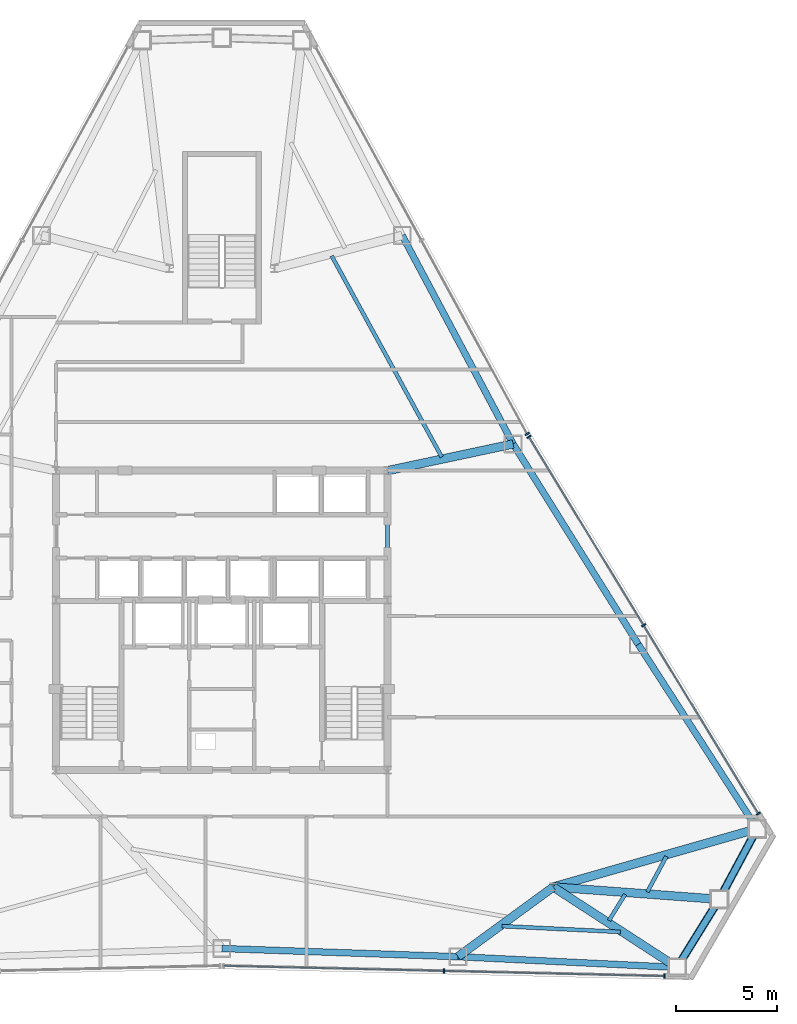
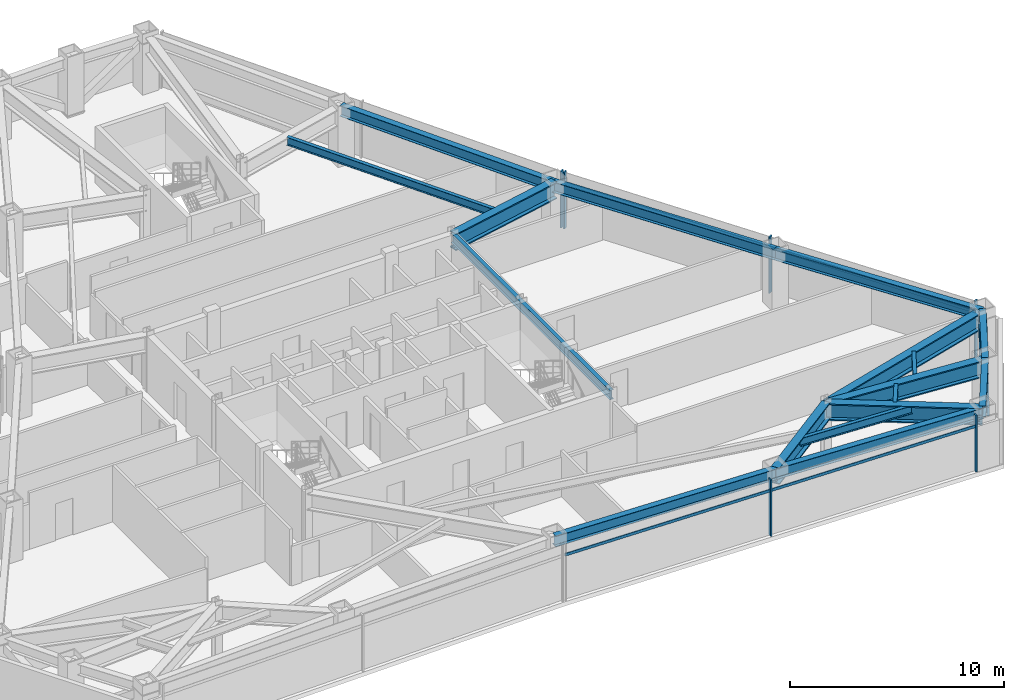
# One storey, part 5 of 11: 17 beams, 10 members, 3 elements without a shape of their own.
"""IFC4 building model written with IfcOpenShell, lengths in metres."""

from ifc_helpers import new_model, si_unit, direction, frame, origin, origin_2d, place, context, subcontext, project, spatial, rectangle, hollow_rectangle, i_section, extrude, source, transform, mapped, material, layer, layer_set, material_profile, profile_set, type_object, type_shapes, element, aggregate, save


model = new_model("IFC4")

# Units and contexts
model_context = context("Model", 3, precision=1e-05, world=origin(), true_north=direction((0.0, 1.0)))
body_context = subcontext(model_context, "Body", "Model", "MODEL_VIEW")
ifc_project = project(units=[si_unit("LENGTHUNIT", "METRE"), si_unit("AREAUNIT", "SQUARE_METRE"), si_unit("VOLUMEUNIT", "CUBIC_METRE"), si_unit("PLANEANGLEUNIT", "RADIAN"), si_unit("MASSUNIT", "GRAM", prefix="KILO")], contexts=[model_context])

# Site, building, storey
site_placement = place(None, origin())
site = spatial("IfcSite", under=ifc_project, at=site_placement, CompositionType="ELEMENT")
building_placement = place(site_placement, origin())
building = spatial("IfcBuilding", under=site, at=building_placement, Name="Varakhsha Concourse Tower", CompositionType="ELEMENT")
storey_placement = place(building_placement, frame((0.0, 0.0, 150.5)))
storey = spatial("IfcBuildingStorey", under=building, at=storey_placement, Name="L43", CompositionType="ELEMENT", Elevation=150.5)

# Beams
ifc_material_1 = material(Name="Structural Steel ASTM A992 Grade 50", Category="steel")
ifc_material_profile_1 = material_profile(ifc_material_1, i_section(OverallWidth=0.19091796875, OverallDepth=0.45703125, WebThickness=0.009033203125, FlangeThickness=0.013916015625, at=origin_2d()), Name="W18X50")
ifc_profile_set_1 = profile_set([ifc_material_profile_1], Name="Structural Steel ASTM A992 Grade 50")
beam_type_1 = type_object("IfcBeamType", Name="BM-JST-W18X50", PredefinedType="JOIST", material=ifc_profile_set_1)
beam_1_placement = place(storey_placement, frame((53.867919921875, 8.664306640625, 2.9814453125), z_axis=(0.99880497097, -0.04887361217, 0.0), x_axis=(0.04887361217, 0.99880497097, 0.0)))
element("IfcBeam", 1, at=beam_1_placement, inside=storey, type_object=beam_type_1, Name="BM-TJST-L43-12", PredefinedType="JOIST", context=body_context, shape_type="SweptSolid", body=[
    extrude(i_section(OverallWidth=0.19091796875, OverallDepth=0.45703125, WebThickness=0.009033203125, FlangeThickness=0.013916015625, at=origin_2d()), origin(), (0.0, 0.0, 1.0), 5.859619140625),
])
beam_2_placement = place(storey_placement, frame((59.153076171875, 8.943603515625, 2.9814453125), z_axis=(0.526608454352, 0.850107955382, 0.0), x_axis=(-0.850107955382, 0.526608454352, 0.0)))
element("IfcBeam", 2, at=beam_2_placement, inside=storey, type_object=beam_type_1, Name="BM-TJST-L43-13", PredefinedType="JOIST", context=body_context, shape_type="SweptSolid", body=[
    extrude(i_section(OverallWidth=0.19091796875, OverallDepth=0.45703125, WebThickness=0.009033203125, FlangeThickness=0.013916015625, at=origin_2d()), origin(), (0.0, 0.0, 1.0), 1.52294921875),
])
beam_3_placement = place(storey_placement, frame((61.05029296875, 10.355712890625, 2.9814453125), z_axis=(0.473021281031, 0.881051001754, 0.0), x_axis=(-0.881051001754, 0.473021281031, 0.0)))
element("IfcBeam", 3, at=beam_3_placement, inside=storey, type_object=beam_type_1, Name="BM-TJST-L43-14", PredefinedType="JOIST", context=body_context, shape_type="SweptSolid", body=[
    extrude(i_section(OverallWidth=0.19091796875, OverallDepth=0.45703125, WebThickness=0.009033203125, FlangeThickness=0.013916015625, at=origin_2d()), origin(), (0.0, 0.0, 1.0), 1.99853515625),
])
beam_4_placement = place(storey_placement, frame((50.880615234375, 31.877685546875, 2.9814453125), z_axis=(-0.480210522134, 0.877153267355, 0.0), x_axis=(-0.877153267355, -0.480210522134, 0.0)))
element("IfcBeam", 4, at=beam_4_placement, inside=storey, type_object=beam_type_1, Name="BM-TJST-L43-17", PredefinedType="JOIST", context=body_context, shape_type="SweptSolid", body=[
    extrude(i_section(OverallWidth=0.19091796875, OverallDepth=0.45703125, WebThickness=0.009033203125, FlangeThickness=0.013916015625, at=origin_2d()), origin(), (0.0, 0.0, 1.0), 11.341064453125),
])
ifc_material_profile_2 = material_profile(ifc_material_1, i_section(OverallWidth=0.423095703125, OverallDepth=0.947998046875, WebThickness=0.0380859375, FlangeThickness=0.06396484375, at=origin_2d()), Name="W36X302")
ifc_profile_set_2 = profile_set([ifc_material_profile_2], Name="Structural Steel ASTM A992 Grade 50")
beam_type_2 = type_object("IfcBeamType", Name="BM-OUTR-W36X302", PredefinedType="USERDEFINED", material=ifc_profile_set_2)
beam_5_placement = place(storey_placement, frame((56.39990234375, 10.60009765625, 2.736083984375), z_axis=(-0.807418681371, -0.589978875023, 0.0), x_axis=(0.589978875023, -0.807418681371, 0.0)))
element("IfcBeam", 5, at=beam_5_placement, inside=storey, type_object=beam_type_2, Name="L43 Radial Floor Girder 12", ObjectType="GIRDER", PredefinedType="USERDEFINED", context=body_context, shape_type="SweptSolid", body=[
    extrude(i_section(OverallWidth=0.423095703125, OverallDepth=0.947998046875, WebThickness=0.0380859375, FlangeThickness=0.06396484375, at=origin_2d()), origin(), (0.0, 0.0, 1.0), 5.843017578125),
])
beam_6_placement = place(storey_placement, frame((56.39990234375, 10.60009765625, 2.736083984375), z_axis=(0.838695554596, -0.544600557014, 0.0), x_axis=(0.544600557014, 0.838695554596, 0.0)))
element("IfcBeam", 6, at=beam_6_placement, inside=storey, type_object=beam_type_2, Name="L43 Radial Floor Girder 13", ObjectType="GIRDER", PredefinedType="USERDEFINED", context=body_context, shape_type="SweptSolid", body=[
    extrude(i_section(OverallWidth=0.423095703125, OverallDepth=0.947998046875, WebThickness=0.0380859375, FlangeThickness=0.06396484375, at=origin_2d()), origin(), (0.0, 0.0, 1.0), 7.3037109375),
])
beam_7_placement = place(storey_placement, frame((56.39990234375, 10.60009765625, 2.736083984375), z_axis=(0.99725755111, -0.074009301804, 0.0), x_axis=(0.074009301804, 0.99725755111, 0.0)))
element("IfcBeam", 7, at=beam_7_placement, inside=storey, type_object=beam_type_2, Name="L43 Radial Floor Girder 14", ObjectType="GIRDER", PredefinedType="USERDEFINED", context=body_context, shape_type="SweptSolid", body=[
    extrude(i_section(OverallWidth=0.423095703125, OverallDepth=0.947998046875, WebThickness=0.0380859375, FlangeThickness=0.06396484375, at=origin_2d()), origin(), (0.0, 0.0, 1.0), 8.233642578125),
])
beam_8_placement = place(storey_placement, frame((56.39990234375, 10.60009765625, 2.736083984375), z_axis=(0.961533609036, 0.274687310761, 0.0), x_axis=(-0.274687310761, 0.961533609036, 0.0)))
element("IfcBeam", 8, at=beam_8_placement, inside=storey, type_object=beam_type_2, Name="L43 Radial Floor Girder 15", ObjectType="GIRDER", PredefinedType="USERDEFINED", context=body_context, shape_type="SweptSolid", body=[
    extrude(i_section(OverallWidth=0.423095703125, OverallDepth=0.947998046875, WebThickness=0.0380859375, FlangeThickness=0.06396484375, at=origin_2d()), origin(), (0.0, 0.0, 1.0), 10.48876953125),
])
beam_9_placement = place(storey_placement, frame((48.199951171875, 31.199951171875, 2.736083984375), z_axis=(0.978129728728, 0.20799575423, 0.0), x_axis=(-0.20799575423, 0.978129728728, 0.0)))
element("IfcBeam", 9, at=beam_9_placement, inside=storey, type_object=beam_type_2, Name="L43 Radial Floor Girder 17", ObjectType="GIRDER", PredefinedType="USERDEFINED", context=body_context, shape_type="SweptSolid", body=[
    extrude(i_section(OverallWidth=0.423095703125, OverallDepth=0.947998046875, WebThickness=0.0380859375, FlangeThickness=0.06396484375, at=origin_2d()), origin(), (0.0, 0.0, 1.0), 6.351318359375),
])
ifc_material_profile_3 = material_profile(ifc_material_1, i_section(OverallWidth=0.2109375, OverallDepth=0.5390625, WebThickness=0.011962890625, FlangeThickness=0.01904296875, at=origin_2d()), Name="W21X73")
ifc_profile_set_3 = profile_set([ifc_material_profile_3], Name="Structural Steel ASTM A992 Grade 50")
beam_type_3 = type_object("IfcBeamType", Name="BM-RAD-W21X73", PredefinedType="BEAM", material=ifc_profile_set_3)
beam_10_placement = place(storey_placement, frame((48.199951171875, 16.39990234375, 2.9404296875), z_axis=(0.0, 1.0, 0.0), x_axis=(-1.0, 0.0, 0.0)))
element("IfcBeam", 10, at=beam_10_placement, inside=storey, type_object=beam_type_3, Name="BM-TCORE-L43-CE", PredefinedType="BEAM", context=body_context, shape_type="SweptSolid", body=[
    extrude(i_section(OverallWidth=0.2109375, OverallDepth=0.5390625, WebThickness=0.011962890625, FlangeThickness=0.01904296875, at=origin_2d()), origin(), (0.0, 0.0, 1.0), 14.800048828125),
])
ifc_material_profile_4 = material_profile(ifc_material_1, i_section(OverallWidth=0.323974609375, OverallDepth=0.611083984375, WebThickness=0.012939453125, FlangeThickness=0.01904296875, at=origin_2d()), Name="W24X104")
ifc_profile_set_4 = profile_set([ifc_material_profile_4], Name="Structural Steel ASTM A992 Grade 50")
beam_type_4 = type_object("IfcBeamType", Name="BM-SPAN-W24X104", PredefinedType="SPANDREL", material=ifc_profile_set_4)
beam_11_placement = place(storey_placement, frame((40.0, 7.55810546875, 2.904541015625), z_axis=(0.999398784039, -0.034670887806, 0.0), x_axis=(0.034670887806, 0.999398784039, 0.0)))
element("IfcBeam", 11, at=beam_11_placement, inside=storey, type_object=beam_type_4, Name="BM-SPAN-L43-11", PredefinedType="SPANDREL", context=body_context, shape_type="SweptSolid", body=[
    extrude(i_section(OverallWidth=0.323974609375, OverallDepth=0.611083984375, WebThickness=0.012939453125, FlangeThickness=0.01904296875, at=origin_2d()), origin(), (0.0, 0.0, 1.0), 11.689208984375),
])
beam_12_placement = place(storey_placement, frame((51.68212890625, 7.15283203125, 2.904541015625), z_axis=(0.998806364453, -0.048845125942, 0.0), x_axis=(0.048845125942, 0.998806364453, 0.0)))
element("IfcBeam", 12, at=beam_12_placement, inside=storey, type_object=beam_type_4, Name="BM-SPAN-L43-12", PredefinedType="SPANDREL", context=body_context, shape_type="SweptSolid", body=[
    extrude(i_section(OverallWidth=0.323974609375, OverallDepth=0.611083984375, WebThickness=0.012939453125, FlangeThickness=0.01904296875, at=origin_2d()), origin(), (0.0, 0.0, 1.0), 10.856201171875),
])
for number, where, z_axis, x_axis, name in (
    (13, (62.525390625, 6.62255859375, 2.904541015625), (0.526471295038, 0.850192904875, 0.0), (-0.850192904875, 0.526471295038, 0.0), "BM-SPAN-L43-13"),
    (14, (64.611083984375, 9.99072265625, 2.904541015625), (0.473030089432, 0.881046272617, 0.0), (-0.881046272617, 0.473030089432, 0.0), "BM-SPAN-L43-14"),
):
    element("IfcBeam", number, at=place(storey_placement, frame(where, z_axis=z_axis, x_axis=x_axis)), inside=storey, type_object=beam_type_4, Name=name, PredefinedType="SPANDREL", context=body_context, shape_type="SweptSolid", body=[
        extrude(i_section(OverallWidth=0.323974609375, OverallDepth=0.611083984375, WebThickness=0.012939453125, FlangeThickness=0.01904296875, at=origin_2d()), origin(), (0.0, 0.0, 1.0), 3.961669921875),
    ])
beam_13_placement = place(storey_placement, frame((66.485107421875, 13.481201171875, 2.904541015625), z_axis=(-0.541694977755, 0.840575131131, 0.0), x_axis=(-0.840575131131, -0.541694977755, 0.0)))
element("IfcBeam", 15, at=beam_13_placement, inside=storey, type_object=beam_type_4, Name="BM-SPAN-L43-15", PredefinedType="SPANDREL", context=body_context, shape_type="SweptSolid", body=[
    extrude(i_section(OverallWidth=0.323974609375, OverallDepth=0.611083984375, WebThickness=0.012939453125, FlangeThickness=0.01904296875, at=origin_2d()), origin(), (0.0, 0.0, 1.0), 10.85595703125),
])
for number, where, z_axis, x_axis, name in (
    (16, (60.6044921875, 22.6064453125, 2.904541015625), (-0.529724816421, 0.848169569643, 0.0), (-0.848169569643, -0.529724816421, 0.0), "BM-SPAN-L43-16"),
    (17, (54.412353515625, 32.52099609375, 2.904541015625), (-0.469677397523, 0.882838117809, 0.0), (-0.882838117809, -0.469677397523, 0.0), "BM-SPAN-L43-17"),
):
    element("IfcBeam", number, at=place(storey_placement, frame(where, z_axis=z_axis, x_axis=x_axis)), inside=storey, type_object=beam_type_4, Name=name, PredefinedType="SPANDREL", context=body_context, shape_type="SweptSolid", body=[
        extrude(i_section(OverallWidth=0.323974609375, OverallDepth=0.611083984375, WebThickness=0.012939453125, FlangeThickness=0.01904296875, at=origin_2d()), origin(), (0.0, 0.0, 1.0), 11.689453125),
    ])

# Members
ifc_material_2 = material(Name="Structural Steel ASTM A500 Grade C", Category="steel")
ifc_material_profile_5 = material_profile(ifc_material_2, hollow_rectangle(XDim=0.39990234375, YDim=0.39990234375, WallThickness=0.01611328125, at=origin_2d()), Name="HSS 400x400x16")
ifc_profile_set_5 = profile_set([ifc_material_profile_5], Name="Structural Steel ASTM A500 Grade C")
member_type_1 = type_object("IfcMemberType", Name="MB-TUBE-HSS400", PredefinedType="BRACE", material=ifc_profile_set_5)
shared_shape_1 = source(origin(), body_context, "Body", "SweptSolid", [
    extrude(hollow_rectangle(XDim=0.39990234375, YDim=0.39990234375, WallThickness=0.01611328125, at=origin_2d()), origin(), (0.0, 0.0, 1.0), 4.845458984375),
])
type_shapes(member_type_1, [shared_shape_1])
for number, where, z_axis, x_axis, name in (
    (18, (64.611083984375, 9.99072265625, 0.1201171875), (-0.430450873678, -0.695130545858, 0.575765203503), (0.850192904875, -0.526471295038, 0.0), "L43 Wind-Corner Tube Brace B05"),
    (19, (64.611083984375, 9.99072265625, 0.1201171875), (0.386759634404, 0.720362492583, 0.575755907026), (-0.881046272617, 0.473030089432, 0.0), "L43 Wind-Corner Tube Brace B06"),
):
    element("IfcMember", number, at=place(storey_placement, frame(where, z_axis=z_axis, x_axis=x_axis)), inside=storey, type_object=member_type_1, Name=name, PredefinedType="BRACE", context=body_context, shape_type="MappedRepresentation", body=[
        mapped(shared_shape_1, transform((0.0, 0.0, 0.0), scale=1.0)),
    ])

# Curtain wall, members
ifc_material_3 = material(Name="Anodised Bronze Architectural Aluminium AA 6063-T6", Category="aluminium")
ifc_layer = layer(ifc_material_3, 0.2099609375, Name="CW-SYS-04")
ifc_layer_set = layer_set([ifc_layer], Name="Anodised Bronze Architectural Aluminium AA 6063-T6")
curtain_wall_type = type_object("IfcCurtainWallType", Name="CW-SYS-04", PredefinedType="NOTDEFINED", material=ifc_layer_set)
curtain_wall_1_placement = place(storey_placement, origin())
curtain_wall_1 = element("IfcCurtainWall", 20, at=curtain_wall_1_placement, inside=storey, type_object=curtain_wall_type, Name="L43 Crystal Curtain Wall F6", PredefinedType="NOTDEFINED")
ifc_material_profile_6 = material_profile(ifc_material_3, rectangle(XDim=0.074951171875, YDim=0.219970703125, at=origin_2d()), Name="CWM-220X75")
ifc_profile_set_6 = profile_set([ifc_material_profile_6], Name="Anodised Bronze Architectural Aluminium AA 6063-T6")
member_type_2 = type_object("IfcMemberType", Name="CWM-220X75", PredefinedType="MULLION", material=ifc_profile_set_6)
shared_shape_2 = source(origin(), body_context, "Body", "SweptSolid", [
    extrude(rectangle(XDim=0.074951171875, YDim=0.219970703125, at=origin_2d()), origin(), (0.0, 0.0, 1.0), 3.2099609375),
])
type_shapes(member_type_2, [shared_shape_2])
member_1_placement = place(storey_placement, frame((61.907470703125, 6.193115234375, 0.0), z_axis=(0.0, 0.0, 1.0), x_axis=(-0.999726077797, 0.023404473363, 0.0)))
member_1 = element("IfcMember", 21, at=member_1_placement, type_object=member_type_2, Name="CW-L43-F6 Mullion 00", PredefinedType="MULLION", context=body_context, shape_type="MappedRepresentation", body=[
    mapped(shared_shape_2, transform((0.0, 0.0, 0.0), scale=1.0)),
])
member_2_placement = place(storey_placement, frame((50.99560546875, 6.448486328125, 0.0), z_axis=(0.0, 0.0, 1.0), x_axis=(-0.999726077797, 0.023404473363, 0.0)))
member_2 = element("IfcMember", 22, at=member_2_placement, type_object=member_type_2, Name="CW-L43-F6 Mullion 01", PredefinedType="MULLION", context=body_context, shape_type="MappedRepresentation", body=[
    mapped(shared_shape_2, transform((0.0, 0.0, 0.0), scale=1.0)),
])

curtain_wall_2_placement = place(storey_placement, origin())
curtain_wall_2 = element("IfcCurtainWall", 23, at=curtain_wall_2_placement, inside=storey, type_object=curtain_wall_type, Name="L43 Crystal Curtain Wall F8", PredefinedType="NOTDEFINED")
member_3_placement = place(storey_placement, frame((55.19384765625, 32.87548828125, 0.0), z_axis=(0.0, 0.0, 1.0), x_axis=(0.520125944735, -0.854089574701, 0.0)))
member_3 = element("IfcMember", 24, at=member_3_placement, type_object=member_type_2, Name="CW-L43-F8 Mullion 00", PredefinedType="MULLION", context=body_context, shape_type="MappedRepresentation", body=[
    mapped(shared_shape_2, transform((0.0, 0.0, 0.0), scale=1.0)),
])
member_4_placement = place(storey_placement, frame((60.870849609375, 23.55322265625, 0.0), z_axis=(0.0, 0.0, 1.0), x_axis=(0.520125944735, -0.854089574701, 0.0)))
member_4 = element("IfcMember", 25, at=member_4_placement, type_object=member_type_2, Name="CW-L43-F8 Mullion 01", PredefinedType="MULLION", context=body_context, shape_type="MappedRepresentation", body=[
    mapped(shared_shape_2, transform((0.0, 0.0, 0.0), scale=1.0)),
])
member_5_placement = place(storey_placement, frame((66.548095703125, 14.23095703125, 0.0), z_axis=(0.0, 0.0, 1.0), x_axis=(0.520125944735, -0.854089574701, 0.0)))
member_5 = element("IfcMember", 26, at=member_5_placement, type_object=member_type_2, Name="CW-L43-F8 Mullion 02", PredefinedType="MULLION", context=body_context, shape_type="MappedRepresentation", body=[
    mapped(shared_shape_2, transform((0.0, 0.0, 0.0), scale=1.0)),
])

# Curtain wall, member
curtain_wall_3_placement = place(storey_placement, origin())
curtain_wall_3 = element("IfcCurtainWall", 27, at=curtain_wall_3_placement, inside=storey, type_object=curtain_wall_type, Name="L43 Crystal Curtain Wall F9", PredefinedType="NOTDEFINED")
member_6_placement = place(storey_placement, frame((55.110107421875, 33.0205078125, 0.0), z_axis=(0.0, 0.0, 1.0), x_axis=(0.479595701913, -0.877489579828, 0.0)))
member_6 = element("IfcMember", 28, at=member_6_placement, type_object=member_type_2, Name="CW-L43-F9 Mullion 02", PredefinedType="MULLION", context=body_context, shape_type="MappedRepresentation", body=[
    mapped(shared_shape_2, transform((0.0, 0.0, 0.0), scale=1.0)),
])
aggregate(curtain_wall_3, [member_6])

# Member
ifc_material_profile_7 = material_profile(ifc_material_3, rectangle(XDim=0.06494140625, YDim=0.159912109375, at=origin_2d()), Name="CWT-160X65")
ifc_profile_set_7 = profile_set([ifc_material_profile_7], Name="Anodised Bronze Architectural Aluminium AA 6063-T6")
member_type_3 = type_object("IfcMemberType", Name="CWT-160X65", PredefinedType="USERDEFINED", material=ifc_profile_set_7)
shared_shape_3 = source(origin(), body_context, "Body", "SweptSolid", [
    extrude(rectangle(XDim=0.06494140625, YDim=0.159912109375, at=origin_2d()), origin(), (0.0, 0.0, 1.0), 21.82958984375),
])
member_7_placement = place(storey_placement, frame((61.907470703125, 6.193115234375, 2.56005859375), z_axis=(-0.999725999054, 0.023407836626, 0.0), x_axis=(-0.023407836626, -0.999725999054, 0.0)))
member_7 = element("IfcMember", 29, at=member_7_placement, type_object=member_type_3, Name="CW-L43-F6 Transom 01", ObjectType="TRANSOM", PredefinedType="USERDEFINED", context=body_context, shape_type="MappedRepresentation", body=[
    mapped(shared_shape_3, transform((0.0, 0.0, 0.0), scale=1.0)),
])

aggregate(curtain_wall_1, [member_1, member_2, member_7])

shared_shape_4 = source(origin(), body_context, "Body", "SweptSolid", [
    extrude(rectangle(XDim=0.06494140625, YDim=0.159912109375, at=origin_2d()), origin(), (0.0, 0.0, 1.0), 21.829833984375),
])
type_shapes(member_type_3, [shared_shape_3, shared_shape_4])
member_8_placement = place(storey_placement, frame((55.19384765625, 32.87548828125, 2.56005859375), z_axis=(0.520127527533, -0.854088610803, 0.0), x_axis=(0.854088610803, 0.520127527533, 0.0)))
member_8 = element("IfcMember", 30, at=member_8_placement, type_object=member_type_3, Name="CW-L43-F8 Transom 01", ObjectType="TRANSOM", PredefinedType="USERDEFINED", context=body_context, shape_type="MappedRepresentation", body=[
    mapped(shared_shape_4, transform((0.0, 0.0, 0.0), scale=1.0)),
])

aggregate(curtain_wall_2, [member_3, member_4, member_5, member_8])

save(model, "model.ifc")
